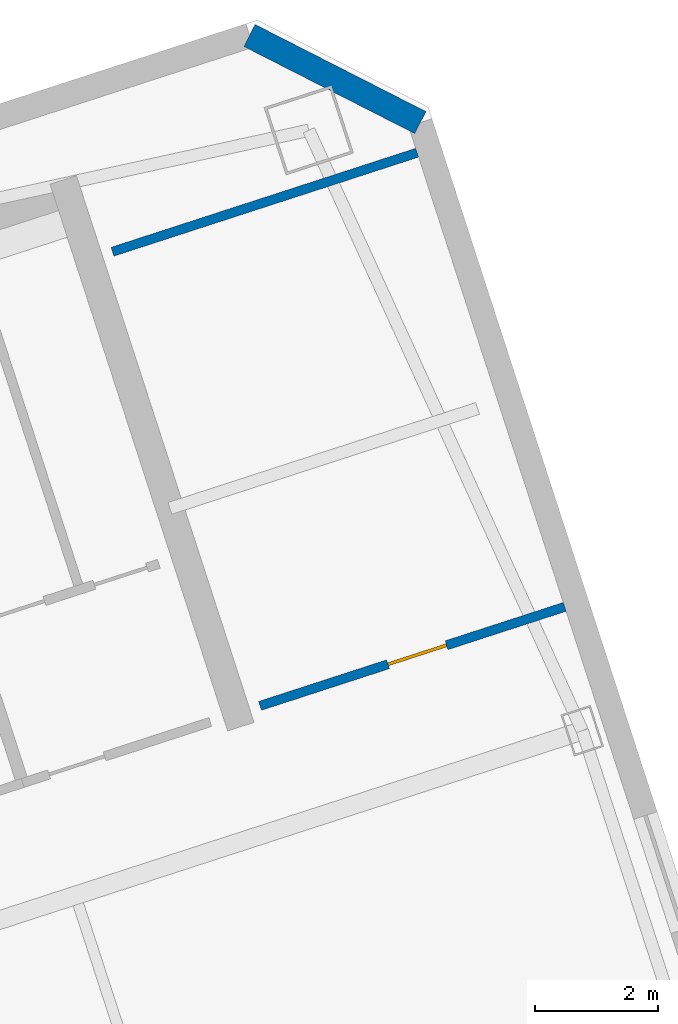
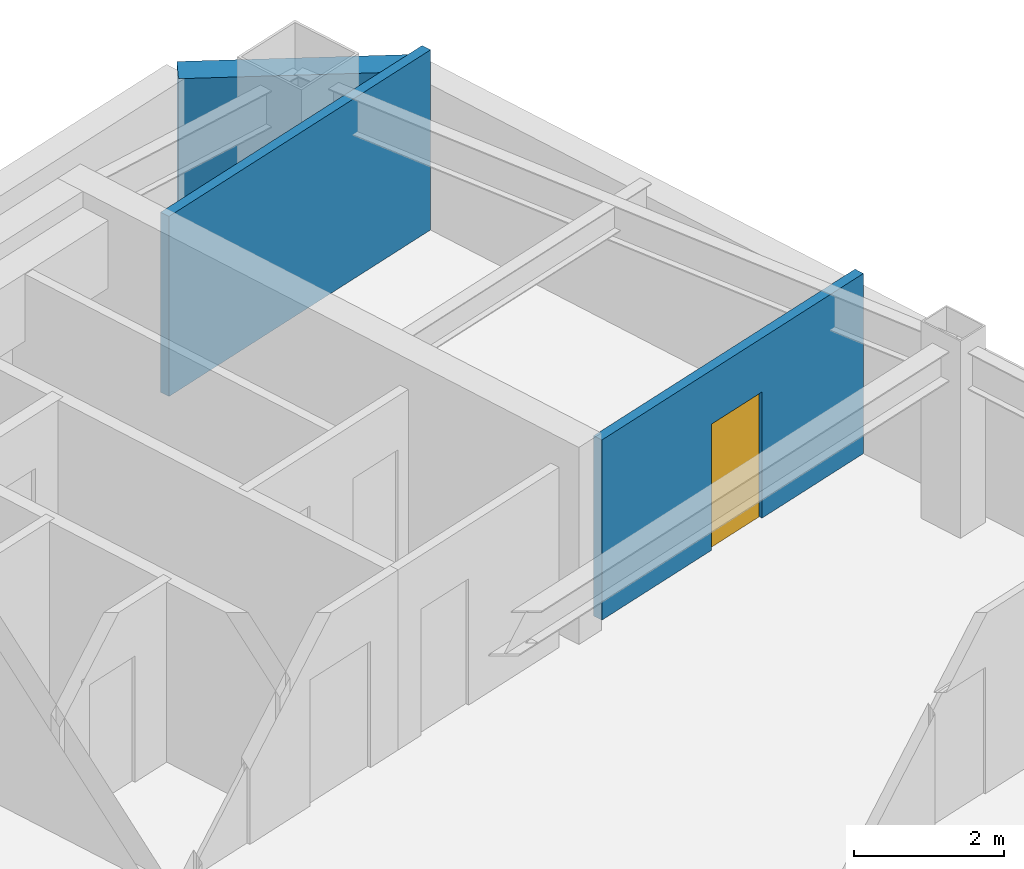
# One storey, part 10 of 13: 3 walls, 1 door, 1 opening.
"""IFC4 building model written with IfcOpenShell, lengths in metres."""

from ifc_helpers import new_model, si_unit, direction, frame, frame_2d, origin, place, context, subcontext, project, spatial, rectangle, extrude, material, layer, layer_set, type_object, element, fill, save


model = new_model("IFC4")

# Units and contexts
model_context = context("Model", 3, precision=1e-05, world=origin(), true_north=direction((0.0, 1.0)))
body_context = subcontext(model_context, "Body", "Model", "MODEL_VIEW")
ifc_project = project(units=[si_unit("LENGTHUNIT", "METRE"), si_unit("AREAUNIT", "SQUARE_METRE"), si_unit("VOLUMEUNIT", "CUBIC_METRE"), si_unit("PLANEANGLEUNIT", "RADIAN"), si_unit("MASSUNIT", "GRAM", prefix="KILO")], contexts=[model_context])

# Site, building, storey
site_placement = place(None, origin())
site = spatial("IfcSite", under=ifc_project, at=site_placement, CompositionType="ELEMENT")
building_placement = place(site_placement, origin())
building = spatial("IfcBuilding", under=site, at=building_placement, Name="Qiaolan Cultural Towers", CompositionType="ELEMENT")
storey_placement = place(building_placement, frame((0.0, 0.0, 234.39990234375)))
storey = spatial("IfcBuildingStorey", under=building, at=storey_placement, Name="L63", CompositionType="ELEMENT", Elevation=234.39990234375)

# Walls
ifc_material_1 = material(Name="Precast Concrete C50 Honed Stone Pier", Category="masonry")
ifc_layer_1 = layer(ifc_material_1, 0.39990234375)
ifc_layer_set_1 = layer_set([ifc_layer_1], Name="Precast Concrete C50 Honed Stone Pier")
wall_type_1 = type_object("IfcWallType", Name="WL-EXT-PIER-400", PredefinedType="SOLIDWALL", material=ifc_layer_set_1)
wall_1_placement = place(storey_placement, frame((94.609619140625, 57.9990234375, 0.0), z_axis=(0.0, 0.0, 1.0), x_axis=(0.890979603174, -0.454043331334, 0.0)))
element("IfcWall", 1, at=wall_1_placement, inside=storey, type_object=wall_type_1, Name="L63 East Tower Precast Pier Facade Wall F4", PredefinedType="SOLIDWALL", context=body_context, shape_type="SweptSolid", body=[
    extrude(rectangle(XDim=3.111083984375, YDim=0.39990234375, at=frame_2d((1.5556640625, 0.0))), origin(), (0.0, 0.0, 1.0), 2.360107421875),
])
ifc_material_2 = material(Name="Autoclaved Aerated Concrete Block B06", Category="concrete")
ifc_layer_2 = layer(ifc_material_2, 0.14990234375)
ifc_layer_set_2 = layer_set([ifc_layer_2], Name="Autoclaved Aerated Concrete Block B06")
wall_type_2 = type_object("IfcWallType", Name="WL-PART-150", PredefinedType="PARTITIONING", material=ifc_layer_set_2)
wall_2_placement = place(storey_placement, frame((92.385009765625, 54.48974609375, 0.0), z_axis=(0.0, 0.0, 1.0), x_axis=(0.951055112834, 0.309021313752, 0.0)))
element("IfcWall", 2, at=wall_2_placement, inside=storey, type_object=wall_type_2, Name="L63 T2 Flank Wall FLK-NE", PredefinedType="PARTITIONING", context=body_context, shape_type="SweptSolid", body=[
    extrude(rectangle(XDim=5.2001953125, YDim=0.14990234375, at=frame_2d((2.60009765625, 0.0))), origin(), (0.0, 0.0, 1.0), 2.925048828125),
])

# Wall, opening, door
wall_3_placement = place(storey_placement, frame((94.77978515625, 47.119140625, 0.0), z_axis=(0.0, 0.0, 1.0), x_axis=(0.951055112834, 0.309021313752, 0.0)))
wall_3 = element("IfcWall", 3, at=wall_3_placement, inside=storey, type_object=wall_type_2, Name="L63 T2 Flank Front FLK-NE", PredefinedType="PARTITIONING", context=body_context, shape_type="SweptSolid", body=[
    extrude(rectangle(XDim=5.2001953125, YDim=0.14990234375, at=frame_2d((2.60009765625, 0.0))), origin(), (0.0, 0.0, 1.0), 2.925048828125),
])
opening_placement = place(wall_3_placement, frame((2.18408203125, 0.0, 0.0)))
opening = element("IfcOpeningElement", 4, at=opening_placement, cuts=wall_3, Name="Opening ID-04", PredefinedType="OPENING", context=body_context, shape_type="SweptSolid", body=[
    extrude(rectangle(XDim=1.0, YDim=2.050048828125, at=frame_2d((0.5, 1.02490234375))), frame((0.0, 0.0849609375, 0.0), z_axis=(0.0, -1.0, 0.0), x_axis=(1.0, 0.0, 0.0)), (0.0, 0.0, 1.0), 0.169921875),
])
ifc_material_3 = material(Name="Oak Veneer Acoustic Office Door", Category="timber")
door_type = type_object("IfcDoorType", Name="DR-INT-1000", OperationType="NOTDEFINED", PredefinedType="DOOR", material=ifc_material_3)
door_placement = place(opening_placement, origin())
door = element("IfcDoor", 5, at=door_placement, inside=storey, type_object=door_type, Name="L63 T2 Corner Studio Door", OperationType="SINGLE_SWING_LEFT", OverallHeight=2.050048828125, OverallWidth=1.0, PredefinedType="DOOR", context=body_context, shape_type="SweptSolid", body=[
    extrude(rectangle(XDim=1.0, YDim=2.050048828125, at=frame_2d((0.5, 1.02490234375))), frame((0.0, 0.02490234375, 0.0), z_axis=(0.0, -1.0, 0.0), x_axis=(1.0, 0.0, 0.0)), (0.0, 0.0, 1.0), 0.050048828125),
])
fill(opening, door)

save(model, "model.ifc")
